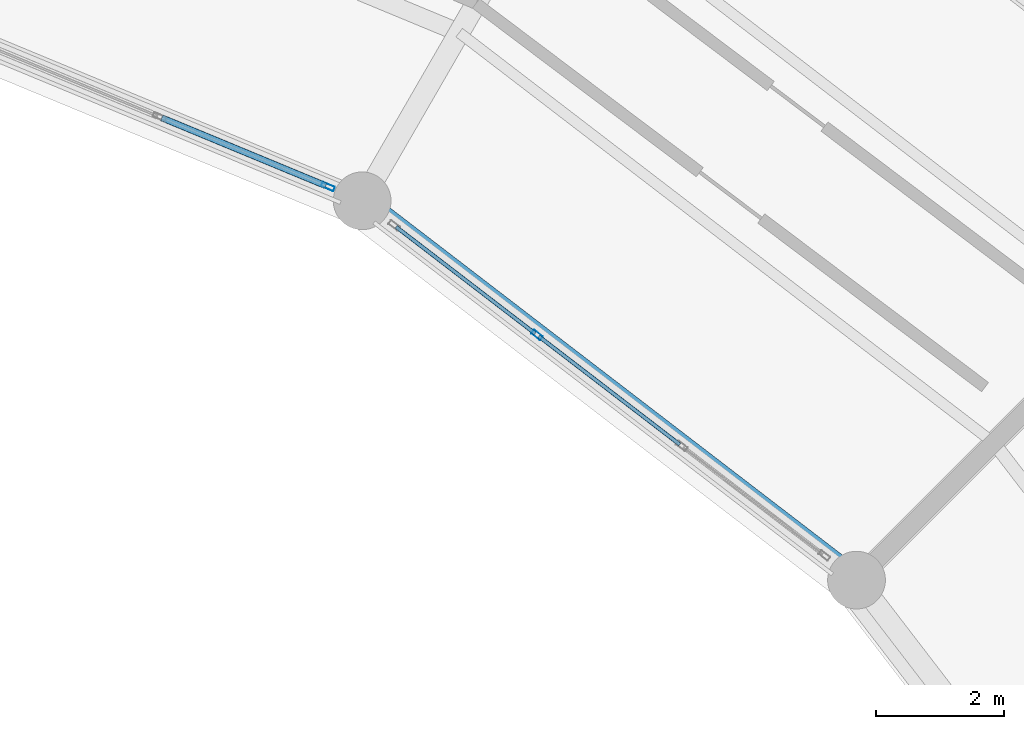
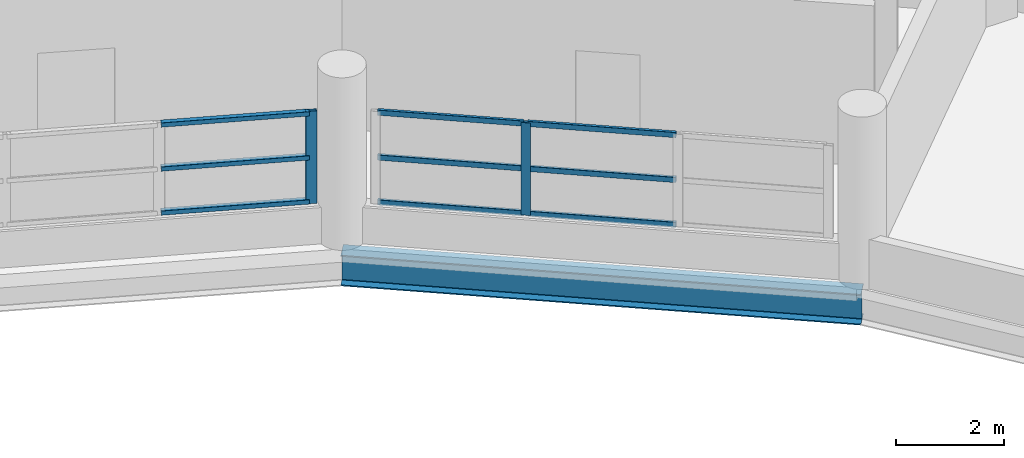
# One storey, part 44 of 88: 11 members, 1 beam, 2 elements without a shape of their own.
"""IFC4 building model written with IfcOpenShell, lengths in metres."""

from ifc_helpers import new_model, si_unit, direction, frame, origin, origin_2d, place, context, subcontext, project, spatial, hollow_rectangle, i_section, extrude, material, layer, layer_set, material_profile, profile_set, type_object, element, aggregate, save


model = new_model("IFC4")

# Units and contexts
model_context = context("Model", 3, precision=1e-05, world=origin(), true_north=direction((0.0, 1.0)))
body_context = subcontext(model_context, "Body", "Model", "MODEL_VIEW")
ifc_project = project(units=[si_unit("LENGTHUNIT", "METRE"), si_unit("AREAUNIT", "SQUARE_METRE"), si_unit("VOLUMEUNIT", "CUBIC_METRE"), si_unit("PLANEANGLEUNIT", "RADIAN"), si_unit("MASSUNIT", "GRAM", prefix="KILO")], contexts=[model_context])

# Site, building, storey
site_placement = place(None, origin())
site = spatial("IfcSite", under=ifc_project, at=site_placement, CompositionType="ELEMENT")
building_placement = place(site_placement, origin())
building = spatial("IfcBuilding", under=site, at=building_placement, Name="Vespera Passage Community Centre", CompositionType="ELEMENT")
storey_placement = place(building_placement, frame((0.0, 0.0, 16.5)))
storey = spatial("IfcBuildingStorey", under=building, at=storey_placement, Name="L04", CompositionType="ELEMENT", Elevation=16.5)

# Beam
ifc_material_1 = material(Name="Steel ASTM A992 Grade 50", Category="steel")
ifc_material_profile_1 = material_profile(ifc_material_1, i_section(OverallWidth=0.3544921875, OverallDepth=0.695556640625, WebThickness=0.015380859375, FlangeThickness=0.024658203125, FilletRadius=0.01513671875, at=origin_2d()), Name="W27X146")
ifc_profile_set_1 = profile_set([ifc_material_profile_1], Name="Steel ASTM A992 Grade 50")
beam_type = type_object("IfcBeamType", Name="BM-SP-W27X146E", PredefinedType="SPANDREL", material=ifc_profile_set_1)
beam_placement = place(storey_placement, frame((104.304443359375, 91.804443359375, -0.647705078125), z_axis=(-0.793359869694, 0.60875291963, 0.0), x_axis=(-0.60875291963, -0.793359869694, 0.0)))
element("IfcBeam", 1, at=beam_placement, inside=storey, type_object=beam_type, Name="V4 L04 Inner Spandrel 3", PredefinedType="SPANDREL", context=body_context, shape_type="SweptSolid", body=[
    extrude(i_section(OverallWidth=0.3544921875, OverallDepth=0.695556640625, WebThickness=0.015380859375, FlangeThickness=0.024658203125, FilletRadius=0.01513671875, at=origin_2d()), origin(), (0.0, 0.0, 1.0), 9.7109375),
])

# Curtain wall, member
ifc_material_2 = material(Name="Anodized aluminium 6063-T6", Category="aluminium")
ifc_layer_1 = layer(ifc_material_2, 0.159912109375)
ifc_layer_set_1 = layer_set([ifc_layer_1], Name="Anodized aluminium 6063-T6")
curtain_wall_type_1 = type_object("IfcCurtainWallType", Name="CW-54E", PredefinedType="NOTDEFINED", material=ifc_layer_set_1)
curtain_wall_1_placement = place(storey_placement, origin())
curtain_wall_1 = element("IfcCurtainWall", 2, at=curtain_wall_1_placement, inside=storey, type_object=curtain_wall_type_1, Name="V4 L04 Inner Court Curtain Wall 3", PredefinedType="NOTDEFINED")
ifc_material_3 = material(Name="Anodized aluminium 6063-T6", Category="aluminium")
ifc_material_profile_2 = material_profile(ifc_material_3, hollow_rectangle(XDim=0.074951171875, YDim=0.179931640625, WallThickness=0.0048828125, InnerFilletRadius=0.00244140625, OuterFilletRadius=0.0048828125, at=origin_2d()), Name="ALU180X75X5")
ifc_profile_set_2 = profile_set([ifc_material_profile_2], Name="Anodized aluminium 6063-T6")
member_type_1 = type_object("IfcMemberType", Name="MB-CWM-180E", PredefinedType="MULLION", material=ifc_profile_set_2)
member_1_placement = place(storey_placement, frame((99.324951171875, 95.625244140625, 0.820068359375), z_axis=(0.0, 0.0, 1.0), x_axis=(-0.608755087843, -0.793358205999, 0.0)))
member_1 = element("IfcMember", 3, at=member_1_placement, type_object=member_type_1, Name="CW-54E mullion 3", PredefinedType="MULLION", context=body_context, shape_type="SweptSolid", body=[
    extrude(hollow_rectangle(XDim=0.074951171875, YDim=0.179931640625, WallThickness=0.0048828125, InnerFilletRadius=0.00244140625, OuterFilletRadius=0.0048828125, at=origin_2d()), origin(), (0.0, 0.0, 1.0), 2.08935546875),
])

# Curtain wall, members
ifc_material_4 = material(Name="Anodized aluminium 6063-T6", Category="aluminium")
ifc_layer_2 = layer(ifc_material_4, 0.159912109375)
ifc_layer_set_2 = layer_set([ifc_layer_2], Name="Anodized aluminium 6063-T6")
curtain_wall_type_2 = type_object("IfcCurtainWallType", Name="CW-56E", PredefinedType="NOTDEFINED", material=ifc_layer_set_2)
curtain_wall_2_placement = place(storey_placement, origin())
curtain_wall_2 = element("IfcCurtainWall", 4, at=curtain_wall_2_placement, inside=storey, type_object=curtain_wall_type_2, Name="V4 L04 Inner Court Curtain Wall 4", PredefinedType="NOTDEFINED")
ifc_material_5 = material(Name="Anodized aluminium 6063-T6", Category="aluminium")
ifc_material_profile_3 = material_profile(ifc_material_5, hollow_rectangle(XDim=0.074951171875, YDim=0.2099609375, WallThickness=0.0048828125, InnerFilletRadius=0.00244140625, OuterFilletRadius=0.0048828125, at=origin_2d()), Name="ALU210X75X5")
ifc_profile_set_3 = profile_set([ifc_material_profile_3], Name="Anodized aluminium 6063-T6")
member_type_2 = type_object("IfcMemberType", Name="MB-CWM-210E", PredefinedType="MULLION", material=ifc_profile_set_3)
member_2_placement = place(storey_placement, frame((96.066650390625, 97.93701171875, 0.820068359375), z_axis=(0.0, 0.0, 1.0), x_axis=(-0.382690463482, -0.923876620096, 0.0)))
member_2 = element("IfcMember", 5, at=member_2_placement, type_object=member_type_2, Name="CW-56E mullion 1", PredefinedType="MULLION", context=body_context, shape_type="SweptSolid", body=[
    extrude(hollow_rectangle(XDim=0.074951171875, YDim=0.2099609375, WallThickness=0.0048828125, InnerFilletRadius=0.00244140625, OuterFilletRadius=0.0048828125, at=origin_2d()), origin(), (0.0, 0.0, 1.0), 2.08935546875),
])
ifc_material_6 = material(Name="Anodized aluminium 6063-T6", Category="aluminium")
ifc_material_profile_4 = material_profile(ifc_material_6, hollow_rectangle(XDim=0.10009765625, YDim=0.10009765625, WallThickness=0.00390625, InnerFilletRadius=0.001953125, OuterFilletRadius=0.00390625, at=origin_2d()), Name="ALU100X100X4")
ifc_profile_set_4 = profile_set([ifc_material_profile_4], Name="Anodized aluminium 6063-T6")
member_type_3 = type_object("IfcMemberType", Name="MB-CWT-100E", PredefinedType="USERDEFINED", material=ifc_profile_set_4)
member_3_placement = place(storey_placement, frame((96.0322265625, 97.951416015625, 0.8701171875), z_axis=(-0.923908142805, 0.382614353701, 0.0), x_axis=(-0.382614353701, -0.923908142805, 0.0)))
member_3 = element("IfcMember", 6, at=member_3_placement, type_object=member_type_3, Name="CW-56E transom 1.1", ObjectType="TRANSOM", PredefinedType="USERDEFINED", context=body_context, shape_type="SweptSolid", body=[
    extrude(hollow_rectangle(XDim=0.10009765625, YDim=0.10009765625, WallThickness=0.00390625, InnerFilletRadius=0.001953125, OuterFilletRadius=0.00390625, at=origin_2d()), origin(), (0.0, 0.0, 1.0), 2.764892578125),
])
member_4_placement = place(storey_placement, frame((96.0322265625, 97.951416015625, 1.86474609375), z_axis=(-0.923908142805, 0.382614353701, 0.0), x_axis=(-0.382614353701, -0.923908142805, 0.0)))
member_4 = element("IfcMember", 7, at=member_4_placement, type_object=member_type_3, Name="CW-56E transom 1.2", ObjectType="TRANSOM", PredefinedType="USERDEFINED", context=body_context, shape_type="SweptSolid", body=[
    extrude(hollow_rectangle(XDim=0.10009765625, YDim=0.10009765625, WallThickness=0.00390625, InnerFilletRadius=0.001953125, OuterFilletRadius=0.00390625, at=origin_2d()), origin(), (0.0, 0.0, 1.0), 2.764892578125),
])
member_5_placement = place(storey_placement, frame((96.0322265625, 97.951416015625, 2.859375), z_axis=(-0.923908142805, 0.382614353701, 0.0), x_axis=(-0.382614353701, -0.923908142805, 0.0)))
member_5 = element("IfcMember", 8, at=member_5_placement, type_object=member_type_3, Name="CW-56E transom 1.3", ObjectType="TRANSOM", PredefinedType="USERDEFINED", context=body_context, shape_type="SweptSolid", body=[
    extrude(hollow_rectangle(XDim=0.10009765625, YDim=0.10009765625, WallThickness=0.00390625, InnerFilletRadius=0.001953125, OuterFilletRadius=0.00390625, at=origin_2d()), origin(), (0.0, 0.0, 1.0), 2.764892578125),
])
aggregate(curtain_wall_2, [member_2, member_3, member_4, member_5])

# Member
ifc_material_7 = material(Name="Anodized aluminium 6063-T6", Category="aluminium")
ifc_material_profile_5 = material_profile(ifc_material_7, hollow_rectangle(XDim=0.06005859375, YDim=0.1201171875, WallThickness=0.00390625, InnerFilletRadius=0.001953125, OuterFilletRadius=0.00390625, at=origin_2d()), Name="ALU120X60X4")
ifc_profile_set_5 = profile_set([ifc_material_profile_5], Name="Anodized aluminium 6063-T6")
member_type_4 = type_object("IfcMemberType", Name="MB-CWT-120E", PredefinedType="USERDEFINED", material=ifc_profile_set_5)
member_6_placement = place(storey_placement, frame((101.549560546875, 93.918212890625, 0.85009765625), z_axis=(-0.793364831796, 0.608746452695, 0.0), x_axis=(-0.608746452695, -0.793364831796, 0.0)))
member_6 = element("IfcMember", 9, at=member_6_placement, type_object=member_type_4, Name="CW-54E transom 2.1", ObjectType="TRANSOM", PredefinedType="USERDEFINED", context=body_context, shape_type="SweptSolid", body=[
    extrude(hollow_rectangle(XDim=0.06005859375, YDim=0.1201171875, WallThickness=0.00390625, InnerFilletRadius=0.001953125, OuterFilletRadius=0.00390625, at=origin_2d()), origin(), (0.0, 0.0, 1.0), 2.766357421875),
])

member_7_placement = place(storey_placement, frame((101.549560546875, 93.918212890625, 1.86474609375), z_axis=(-0.793364831796, 0.608746452695, 0.0), x_axis=(-0.608746452695, -0.793364831796, 0.0)))
member_7 = element("IfcMember", 10, at=member_7_placement, type_object=member_type_4, Name="CW-54E transom 2.2", ObjectType="TRANSOM", PredefinedType="USERDEFINED", context=body_context, shape_type="SweptSolid", body=[
    extrude(hollow_rectangle(XDim=0.06005859375, YDim=0.1201171875, WallThickness=0.00390625, InnerFilletRadius=0.001953125, OuterFilletRadius=0.00390625, at=origin_2d()), origin(), (0.0, 0.0, 1.0), 2.766357421875),
])

member_8_placement = place(storey_placement, frame((101.549560546875, 93.918212890625, 2.87939453125), z_axis=(-0.793364831796, 0.608746452695, 0.0), x_axis=(-0.608746452695, -0.793364831796, 0.0)))
member_8 = element("IfcMember", 11, at=member_8_placement, type_object=member_type_4, Name="CW-54E transom 2.3", ObjectType="TRANSOM", PredefinedType="USERDEFINED", context=body_context, shape_type="SweptSolid", body=[
    extrude(hollow_rectangle(XDim=0.06005859375, YDim=0.1201171875, WallThickness=0.00390625, InnerFilletRadius=0.001953125, OuterFilletRadius=0.00390625, at=origin_2d()), origin(), (0.0, 0.0, 1.0), 2.766357421875),
])

member_9_placement = place(storey_placement, frame((99.295166015625, 95.64794921875, 0.85009765625), z_axis=(-0.793338465411, 0.608780813839, 0.0), x_axis=(-0.608780813839, -0.793338465411, 0.0)))
member_9 = element("IfcMember", 12, at=member_9_placement, type_object=member_type_4, Name="CW-54E transom 3.1", ObjectType="TRANSOM", PredefinedType="USERDEFINED", context=body_context, shape_type="SweptSolid", body=[
    extrude(hollow_rectangle(XDim=0.06005859375, YDim=0.1201171875, WallThickness=0.00390625, InnerFilletRadius=0.001953125, OuterFilletRadius=0.00390625, at=origin_2d()), origin(), (0.0, 0.0, 1.0), 2.72900390625),
])

member_10_placement = place(storey_placement, frame((99.295166015625, 95.64794921875, 1.86474609375), z_axis=(-0.793338465411, 0.608780813839, 0.0), x_axis=(-0.608780813839, -0.793338465411, 0.0)))
member_10 = element("IfcMember", 13, at=member_10_placement, type_object=member_type_4, Name="CW-54E transom 3.2", ObjectType="TRANSOM", PredefinedType="USERDEFINED", context=body_context, shape_type="SweptSolid", body=[
    extrude(hollow_rectangle(XDim=0.06005859375, YDim=0.1201171875, WallThickness=0.00390625, InnerFilletRadius=0.001953125, OuterFilletRadius=0.00390625, at=origin_2d()), origin(), (0.0, 0.0, 1.0), 2.72900390625),
])

member_11_placement = place(storey_placement, frame((99.295166015625, 95.64794921875, 2.87939453125), z_axis=(-0.793338465411, 0.608780813839, 0.0), x_axis=(-0.608780813839, -0.793338465411, 0.0)))
member_11 = element("IfcMember", 14, at=member_11_placement, type_object=member_type_4, Name="CW-54E transom 3.3", ObjectType="TRANSOM", PredefinedType="USERDEFINED", context=body_context, shape_type="SweptSolid", body=[
    extrude(hollow_rectangle(XDim=0.06005859375, YDim=0.1201171875, WallThickness=0.00390625, InnerFilletRadius=0.001953125, OuterFilletRadius=0.00390625, at=origin_2d()), origin(), (0.0, 0.0, 1.0), 2.72900390625),
])

aggregate(curtain_wall_1, [member_1, member_6, member_7, member_8, member_9, member_10, member_11])

save(model, "model.ifc")
